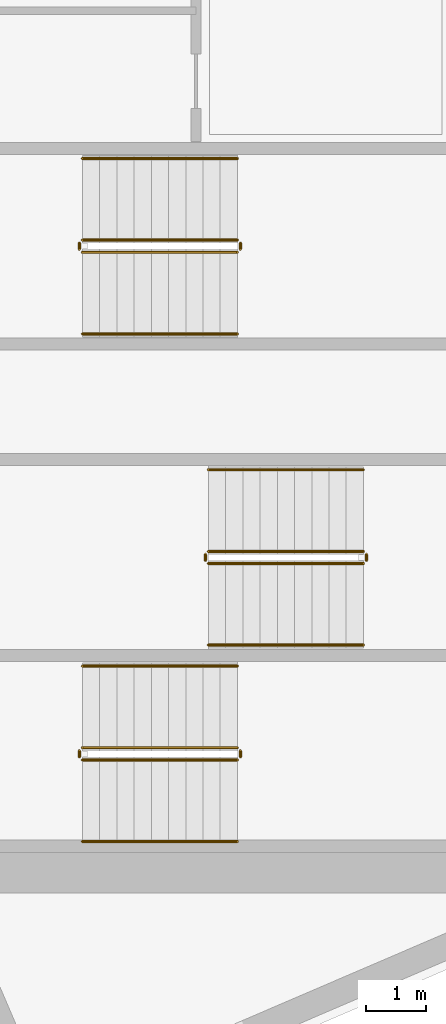
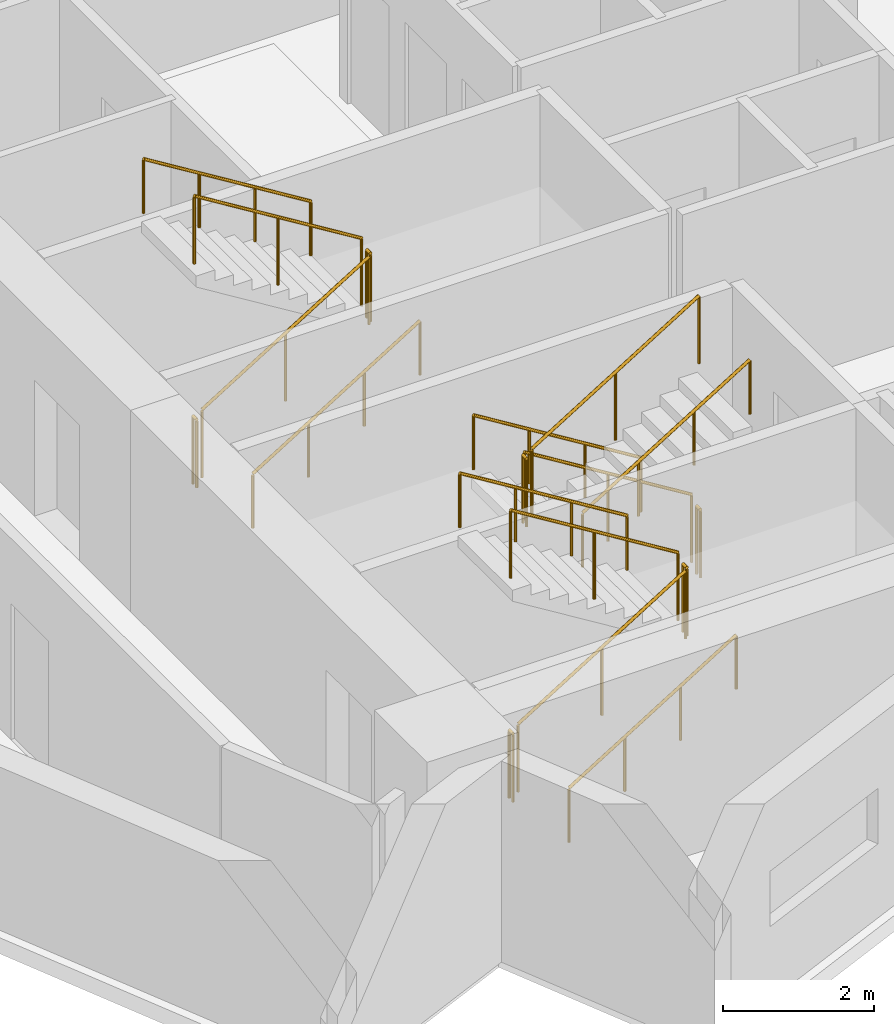
# One storey, part 14 of 15: 18 railings.
"""IFC4 building model written with IfcOpenShell, lengths in metres."""

from ifc_helpers import new_model, si_unit, direction, frame, origin, origin_2d, place, context, subcontext, project, spatial, circle, extrude, material, type_object, element, save


model = new_model("IFC4")

# Units and contexts
model_context = context("Model", 3, precision=1e-05, world=origin(), true_north=direction((0.0, 1.0)))
body_context = subcontext(model_context, "Body", "Model", "MODEL_VIEW")
ifc_project = project(units=[si_unit("LENGTHUNIT", "METRE"), si_unit("AREAUNIT", "SQUARE_METRE"), si_unit("VOLUMEUNIT", "CUBIC_METRE"), si_unit("PLANEANGLEUNIT", "RADIAN"), si_unit("MASSUNIT", "GRAM", prefix="KILO")], contexts=[model_context])

# Site, building, storey
site_placement = place(None, origin())
site = spatial("IfcSite", under=ifc_project, at=site_placement, CompositionType="ELEMENT")
building_placement = place(site_placement, origin())
building = spatial("IfcBuilding", under=site, at=building_placement, Name="Narakoshi Arena Tower", CompositionType="ELEMENT")
storey_placement = place(building_placement, frame((0.0, 0.0, 186.139892578125)))
storey = spatial("IfcBuildingStorey", under=building, at=storey_placement, Name="L50", CompositionType="ELEMENT", Elevation=186.139892578125)

# Railings
ifc_material_1 = material(Name="Clear low-iron laminated structural glass", Category="glass")
railing_type_1 = type_object("IfcRailingType", Name="RL-BAL-1100", PredefinedType="BALUSTRADE", material=ifc_material_1)
railing_1_placement = place(storey_placement, frame((74.39990234375, 36.949951171875, 0.176025390625)))
element("IfcRailing", 1, at=railing_1_placement, inside=storey, type_object=railing_type_1, Name="L50 ST1 stair guard 1", PredefinedType="BALUSTRADE", context=body_context, shape_type="SweptSolid", body=[
    extrude(circle(Radius=0.02392578125, at=origin_2d()), frame((0.0, 0.0, 1.09619140625), z_axis=(0.850856559306, 0.0, 0.525398054323), x_axis=(0.0, 1.0, 0.0)), (0.0, 0.0, 1.0), 3.014892578125),
    extrude(circle(Radius=0.02099609375, at=origin_2d()), origin(), (0.0, 0.0, 1.0), 1.072021484375),
    extrude(circle(Radius=0.02099609375, at=origin_2d()), frame((1.28271484375, 0.0, 0.7919921875)), (0.0, 0.0, 1.0), 1.072021484375),
    extrude(circle(Radius=0.02099609375, at=origin_2d()), frame((2.565185546875, 0.0, 1.583984375)), (0.0, 0.0, 1.0), 1.072021484375),
])
railing_2_placement = place(storey_placement, frame((77.014892578125, 37.0, 1.760009765625)))
element("IfcRailing", 2, at=railing_2_placement, inside=storey, type_object=railing_type_1, Name="L50 ST1 stair guard 2", PredefinedType="BALUSTRADE", context=body_context, shape_type="SweptSolid", body=[
    extrude(circle(Radius=0.02392578125, at=origin_2d()), frame((0.0, 0.0, 1.09619140625), z_axis=(0.0, 1.0, 0.0), x_axis=(-1.0, 0.0, 0.0)), (0.0, 0.0, 1.0), 0.10009765625),
    extrude(circle(Radius=0.02099609375, at=origin_2d()), origin(), (0.0, 0.0, 1.0), 1.072021484375),
    extrude(circle(Radius=0.02099609375, at=origin_2d()), frame((0.0, 0.10009765625, 0.0)), (0.0, 0.0, 1.0), 1.072021484375),
])
railing_3_placement = place(storey_placement, frame((76.965087890625, 37.14990234375, 1.93603515625)))
element("IfcRailing", 3, at=railing_3_placement, inside=storey, type_object=railing_type_1, Name="L50 ST1 stair guard 3", PredefinedType="BALUSTRADE", context=body_context, shape_type="SweptSolid", body=[
    extrude(circle(Radius=0.02392578125, at=origin_2d()), frame((0.0, 0.0, 1.09619140625), z_axis=(-0.850856559306, 0.0, 0.525398054323), x_axis=(0.0, -1.0, 0.0)), (0.0, 0.0, 1.0), 3.014892578125),
    extrude(circle(Radius=0.02099609375, at=origin_2d()), origin(), (0.0, 0.0, 1.0), 1.072021484375),
    extrude(circle(Radius=0.02099609375, at=origin_2d()), frame((-1.28271484375, 0.0, 0.7919921875)), (0.0, 0.0, 1.0), 1.072021484375),
    extrude(circle(Radius=0.02099609375, at=origin_2d()), frame((-2.565185546875, 0.0, 1.583984375)), (0.0, 0.0, 1.0), 1.072021484375),
])
railing_4_placement = place(storey_placement, frame((74.35009765625, 37.0, 0.0)))
element("IfcRailing", 4, at=railing_4_placement, inside=storey, type_object=railing_type_1, Name="L50 ST1 stair guard 4", PredefinedType="BALUSTRADE", context=body_context, shape_type="SweptSolid", body=[
    extrude(circle(Radius=0.02392578125, at=origin_2d()), frame((0.0, 0.0, 1.09619140625), z_axis=(0.0, 1.0, 0.0), x_axis=(-1.0, 0.0, 0.0)), (0.0, 0.0, 1.0), 0.10009765625),
    extrude(circle(Radius=0.02099609375, at=origin_2d()), origin(), (0.0, 0.0, 1.0), 1.072021484375),
    extrude(circle(Radius=0.02099609375, at=origin_2d()), frame((0.0, 0.10009765625, 0.0)), (0.0, 0.0, 1.0), 1.072021484375),
])
railing_5_placement = place(storey_placement, frame((79.050048828125, 40.39990234375, 0.176025390625)))
element("IfcRailing", 5, at=railing_5_placement, inside=storey, type_object=railing_type_1, Name="L50 ST2 stair guard 1", PredefinedType="BALUSTRADE", context=body_context, shape_type="SweptSolid", body=[
    extrude(circle(Radius=0.02392578125, at=origin_2d()), frame((0.0, 0.0, 1.09619140625), z_axis=(-0.850834203031, 0.0, 0.525434257497), x_axis=(0.0, -1.0, 0.0)), (0.0, 0.0, 1.0), 3.0146484375),
    extrude(circle(Radius=0.02099609375, at=origin_2d()), origin(), (0.0, 0.0, 1.0), 1.072021484375),
    extrude(circle(Radius=0.02099609375, at=origin_2d()), frame((-1.282470703125, 0.0, 0.7919921875)), (0.0, 0.0, 1.0), 1.072021484375),
    extrude(circle(Radius=0.02099609375, at=origin_2d()), frame((-2.56494140625, 0.0, 1.583984375)), (0.0, 0.0, 1.0), 1.072021484375),
])
railing_6_placement = place(storey_placement, frame((76.43505859375, 40.35009765625, 1.760009765625)))
element("IfcRailing", 6, at=railing_6_placement, inside=storey, type_object=railing_type_1, Name="L50 ST2 stair guard 2", PredefinedType="BALUSTRADE", context=body_context, shape_type="SweptSolid", body=[
    extrude(circle(Radius=0.02392578125, at=origin_2d()), frame((0.0, 0.0, 1.09619140625), z_axis=(0.0, -1.0, 0.0), x_axis=(1.0, 0.0, 0.0)), (0.0, 0.0, 1.0), 0.10009765625),
    extrude(circle(Radius=0.02099609375, at=origin_2d()), origin(), (0.0, 0.0, 1.0), 1.072021484375),
    extrude(circle(Radius=0.02099609375, at=origin_2d()), frame((0.0, -0.10009765625, 0.0)), (0.0, 0.0, 1.0), 1.072021484375),
])
railing_7_placement = place(storey_placement, frame((76.485107421875, 40.199951171875, 1.93603515625)))
element("IfcRailing", 7, at=railing_7_placement, inside=storey, type_object=railing_type_1, Name="L50 ST2 stair guard 3", PredefinedType="BALUSTRADE", context=body_context, shape_type="SweptSolid", body=[
    extrude(circle(Radius=0.02392578125, at=origin_2d()), frame((0.0, 0.0, 1.09619140625), z_axis=(0.850834203031, 0.0, 0.525434257497), x_axis=(0.0, 1.0, 0.0)), (0.0, 0.0, 1.0), 3.0146484375),
    extrude(circle(Radius=0.02099609375, at=origin_2d()), origin(), (0.0, 0.0, 1.0), 1.072021484375),
    extrude(circle(Radius=0.02099609375, at=origin_2d()), frame((1.282470703125, 0.0, 0.7919921875)), (0.0, 0.0, 1.0), 1.072021484375),
    extrude(circle(Radius=0.02099609375, at=origin_2d()), frame((2.56494140625, 0.0, 1.583984375)), (0.0, 0.0, 1.0), 1.072021484375),
])
railing_8_placement = place(storey_placement, frame((79.10009765625, 40.35009765625, 0.0)))
element("IfcRailing", 8, at=railing_8_placement, inside=storey, type_object=railing_type_1, Name="L50 ST2 stair guard 4", PredefinedType="BALUSTRADE", context=body_context, shape_type="SweptSolid", body=[
    extrude(circle(Radius=0.02392578125, at=origin_2d()), frame((0.0, 0.0, 1.09619140625), z_axis=(0.0, -1.0, 0.0), x_axis=(1.0, 0.0, 0.0)), (0.0, 0.0, 1.0), 0.10009765625),
    extrude(circle(Radius=0.02099609375, at=origin_2d()), origin(), (0.0, 0.0, 1.0), 1.072021484375),
    extrude(circle(Radius=0.02099609375, at=origin_2d()), frame((0.0, -0.10009765625, 0.0)), (0.0, 0.0, 1.0), 1.072021484375),
])
railing_9_placement = place(storey_placement, frame((74.39990234375, 45.35009765625, 0.176025390625)))
element("IfcRailing", 9, at=railing_9_placement, inside=storey, type_object=railing_type_1, Name="L50 ST3 stair guard 1", PredefinedType="BALUSTRADE", context=body_context, shape_type="SweptSolid", body=[
    extrude(circle(Radius=0.02392578125, at=origin_2d()), frame((0.0, 0.0, 1.09619140625), z_axis=(0.850856559306, 0.0, 0.525398054323), x_axis=(0.0, 1.0, 0.0)), (0.0, 0.0, 1.0), 3.014892578125),
    extrude(circle(Radius=0.02099609375, at=origin_2d()), origin(), (0.0, 0.0, 1.0), 1.072021484375),
    extrude(circle(Radius=0.02099609375, at=origin_2d()), frame((1.28271484375, 0.0, 0.7919921875)), (0.0, 0.0, 1.0), 1.072021484375),
    extrude(circle(Radius=0.02099609375, at=origin_2d()), frame((2.565185546875, 0.0, 1.583984375)), (0.0, 0.0, 1.0), 1.072021484375),
])
railing_10_placement = place(storey_placement, frame((77.014892578125, 45.39990234375, 1.760009765625)))
element("IfcRailing", 10, at=railing_10_placement, inside=storey, type_object=railing_type_1, Name="L50 ST3 stair guard 2", PredefinedType="BALUSTRADE", context=body_context, shape_type="SweptSolid", body=[
    extrude(circle(Radius=0.02392578125, at=origin_2d()), frame((0.0, 0.0, 1.09619140625), z_axis=(0.0, 1.0, 0.0), x_axis=(-1.0, 0.0, 0.0)), (0.0, 0.0, 1.0), 0.10009765625),
    extrude(circle(Radius=0.02099609375, at=origin_2d()), origin(), (0.0, 0.0, 1.0), 1.072021484375),
    extrude(circle(Radius=0.02099609375, at=origin_2d()), frame((0.0, 0.10009765625, 0.0)), (0.0, 0.0, 1.0), 1.072021484375),
])
railing_11_placement = place(storey_placement, frame((76.965087890625, 45.550048828125, 1.93603515625)))
element("IfcRailing", 11, at=railing_11_placement, inside=storey, type_object=railing_type_1, Name="L50 ST3 stair guard 3", PredefinedType="BALUSTRADE", context=body_context, shape_type="SweptSolid", body=[
    extrude(circle(Radius=0.02392578125, at=origin_2d()), frame((0.0, 0.0, 1.09619140625), z_axis=(-0.850856559306, 0.0, 0.525398054323), x_axis=(0.0, -1.0, 0.0)), (0.0, 0.0, 1.0), 3.014892578125),
    extrude(circle(Radius=0.02099609375, at=origin_2d()), origin(), (0.0, 0.0, 1.0), 1.072021484375),
    extrude(circle(Radius=0.02099609375, at=origin_2d()), frame((-1.28271484375, 0.0, 0.7919921875)), (0.0, 0.0, 1.0), 1.072021484375),
    extrude(circle(Radius=0.02099609375, at=origin_2d()), frame((-2.565185546875, 0.0, 1.583984375)), (0.0, 0.0, 1.0), 1.072021484375),
])
railing_12_placement = place(storey_placement, frame((74.35009765625, 45.39990234375, 0.0)))
element("IfcRailing", 12, at=railing_12_placement, inside=storey, type_object=railing_type_1, Name="L50 ST3 stair guard 4", PredefinedType="BALUSTRADE", context=body_context, shape_type="SweptSolid", body=[
    extrude(circle(Radius=0.02392578125, at=origin_2d()), frame((0.0, 0.0, 1.09619140625), z_axis=(0.0, 1.0, 0.0), x_axis=(-1.0, 0.0, 0.0)), (0.0, 0.0, 1.0), 0.10009765625),
    extrude(circle(Radius=0.02099609375, at=origin_2d()), origin(), (0.0, 0.0, 1.0), 1.072021484375),
    extrude(circle(Radius=0.02099609375, at=origin_2d()), frame((0.0, 0.10009765625, 0.0)), (0.0, 0.0, 1.0), 1.072021484375),
])
ifc_material_2 = material(Name="Brushed bronze stainless steel", Category="steel")
railing_type_2 = type_object("IfcRailingType", Name="RL-HND-900", PredefinedType="HANDRAIL", material=ifc_material_2)
railing_13_placement = place(storey_placement, frame((74.39990234375, 35.60009765625, 0.176025390625)))
element("IfcRailing", 13, at=railing_13_placement, inside=storey, type_object=railing_type_2, Name="L50 ST1 stair handrail 1", PredefinedType="HANDRAIL", context=body_context, shape_type="SweptSolid", body=[
    extrude(circle(Radius=0.02392578125, at=origin_2d()), frame((0.0, 0.0, 0.8759765625), z_axis=(0.850856559306, 0.0, 0.525398054323), x_axis=(0.0, 1.0, 0.0)), (0.0, 0.0, 1.0), 3.014892578125),
    extrude(circle(Radius=0.02099609375, at=origin_2d()), origin(), (0.0, 0.0, 1.0), 0.851806640625),
    extrude(circle(Radius=0.02099609375, at=origin_2d()), frame((0.85498046875, 0.0, 0.528076171875)), (0.0, 0.0, 1.0), 0.851806640625),
    extrude(circle(Radius=0.02099609375, at=origin_2d()), frame((1.710205078125, 0.0, 1.055908203125)), (0.0, 0.0, 1.0), 0.851806640625),
    extrude(circle(Radius=0.02099609375, at=origin_2d()), frame((2.565185546875, 0.0, 1.583984375)), (0.0, 0.0, 1.0), 0.851806640625),
])
railing_14_placement = place(storey_placement, frame((76.965087890625, 38.5, 1.93603515625)))
element("IfcRailing", 14, at=railing_14_placement, inside=storey, type_object=railing_type_2, Name="L50 ST1 stair handrail 2", PredefinedType="HANDRAIL", context=body_context, shape_type="SweptSolid", body=[
    extrude(circle(Radius=0.02392578125, at=origin_2d()), frame((0.0, 0.0, 0.8759765625), z_axis=(-0.850856559306, 0.0, 0.525398054323), x_axis=(0.0, -1.0, 0.0)), (0.0, 0.0, 1.0), 3.014892578125),
    extrude(circle(Radius=0.02099609375, at=origin_2d()), origin(), (0.0, 0.0, 1.0), 0.851806640625),
    extrude(circle(Radius=0.02099609375, at=origin_2d()), frame((-0.85498046875, 0.0, 0.528076171875)), (0.0, 0.0, 1.0), 0.851806640625),
    extrude(circle(Radius=0.02099609375, at=origin_2d()), frame((-1.710205078125, 0.0, 1.055908203125)), (0.0, 0.0, 1.0), 0.851806640625),
    extrude(circle(Radius=0.02099609375, at=origin_2d()), frame((-2.565185546875, 0.0, 1.583984375)), (0.0, 0.0, 1.0), 0.851806640625),
])
railing_15_placement = place(storey_placement, frame((79.050048828125, 41.75, 0.176025390625)))
element("IfcRailing", 15, at=railing_15_placement, inside=storey, type_object=railing_type_2, Name="L50 ST2 stair handrail 1", PredefinedType="HANDRAIL", context=body_context, shape_type="SweptSolid", body=[
    extrude(circle(Radius=0.02392578125, at=origin_2d()), frame((0.0, 0.0, 0.8759765625), z_axis=(-0.850834203031, 0.0, 0.525434257497), x_axis=(0.0, -1.0, 0.0)), (0.0, 0.0, 1.0), 3.0146484375),
    extrude(circle(Radius=0.02099609375, at=origin_2d()), origin(), (0.0, 0.0, 1.0), 0.851806640625),
    extrude(circle(Radius=0.02099609375, at=origin_2d()), frame((-0.85498046875, 0.0, 0.528076171875)), (0.0, 0.0, 1.0), 0.851806640625),
    extrude(circle(Radius=0.02099609375, at=origin_2d()), frame((-1.7099609375, 0.0, 1.055908203125)), (0.0, 0.0, 1.0), 0.851806640625),
    extrude(circle(Radius=0.02099609375, at=origin_2d()), frame((-2.56494140625, 0.0, 1.583984375)), (0.0, 0.0, 1.0), 0.851806640625),
])
railing_16_placement = place(storey_placement, frame((76.485107421875, 38.85009765625, 1.93603515625)))
element("IfcRailing", 16, at=railing_16_placement, inside=storey, type_object=railing_type_2, Name="L50 ST2 stair handrail 2", PredefinedType="HANDRAIL", context=body_context, shape_type="SweptSolid", body=[
    extrude(circle(Radius=0.02392578125, at=origin_2d()), frame((0.0, 0.0, 0.8759765625), z_axis=(0.850834203031, 0.0, 0.525434257497), x_axis=(0.0, 1.0, 0.0)), (0.0, 0.0, 1.0), 3.0146484375),
    extrude(circle(Radius=0.02099609375, at=origin_2d()), origin(), (0.0, 0.0, 1.0), 0.851806640625),
    extrude(circle(Radius=0.02099609375, at=origin_2d()), frame((0.85498046875, 0.0, 0.528076171875)), (0.0, 0.0, 1.0), 0.851806640625),
    extrude(circle(Radius=0.02099609375, at=origin_2d()), frame((1.7099609375, 0.0, 1.055908203125)), (0.0, 0.0, 1.0), 0.851806640625),
    extrude(circle(Radius=0.02099609375, at=origin_2d()), frame((2.56494140625, 0.0, 1.583984375)), (0.0, 0.0, 1.0), 0.851806640625),
])
railing_17_placement = place(storey_placement, frame((74.39990234375, 44.0, 0.176025390625)))
element("IfcRailing", 17, at=railing_17_placement, inside=storey, type_object=railing_type_2, Name="L50 ST3 stair handrail 1", PredefinedType="HANDRAIL", context=body_context, shape_type="SweptSolid", body=[
    extrude(circle(Radius=0.02392578125, at=origin_2d()), frame((0.0, 0.0, 0.8759765625), z_axis=(0.850856559306, 0.0, 0.525398054323), x_axis=(0.0, 1.0, 0.0)), (0.0, 0.0, 1.0), 3.014892578125),
    extrude(circle(Radius=0.02099609375, at=origin_2d()), origin(), (0.0, 0.0, 1.0), 0.851806640625),
    extrude(circle(Radius=0.02099609375, at=origin_2d()), frame((0.85498046875, 0.0, 0.528076171875)), (0.0, 0.0, 1.0), 0.851806640625),
    extrude(circle(Radius=0.02099609375, at=origin_2d()), frame((1.710205078125, 0.0, 1.055908203125)), (0.0, 0.0, 1.0), 0.851806640625),
    extrude(circle(Radius=0.02099609375, at=origin_2d()), frame((2.565185546875, 0.0, 1.583984375)), (0.0, 0.0, 1.0), 0.851806640625),
])
railing_18_placement = place(storey_placement, frame((76.965087890625, 46.89990234375, 1.93603515625)))
element("IfcRailing", 18, at=railing_18_placement, inside=storey, type_object=railing_type_2, Name="L50 ST3 stair handrail 2", PredefinedType="HANDRAIL", context=body_context, shape_type="SweptSolid", body=[
    extrude(circle(Radius=0.02392578125, at=origin_2d()), frame((0.0, 0.0, 0.8759765625), z_axis=(-0.850856559306, 0.0, 0.525398054323), x_axis=(0.0, -1.0, 0.0)), (0.0, 0.0, 1.0), 3.014892578125),
    extrude(circle(Radius=0.02099609375, at=origin_2d()), origin(), (0.0, 0.0, 1.0), 0.851806640625),
    extrude(circle(Radius=0.02099609375, at=origin_2d()), frame((-0.85498046875, 0.0, 0.528076171875)), (0.0, 0.0, 1.0), 0.851806640625),
    extrude(circle(Radius=0.02099609375, at=origin_2d()), frame((-1.710205078125, 0.0, 1.055908203125)), (0.0, 0.0, 1.0), 0.851806640625),
    extrude(circle(Radius=0.02099609375, at=origin_2d()), frame((-2.565185546875, 0.0, 1.583984375)), (0.0, 0.0, 1.0), 0.851806640625),
])

save(model, "model.ifc")
